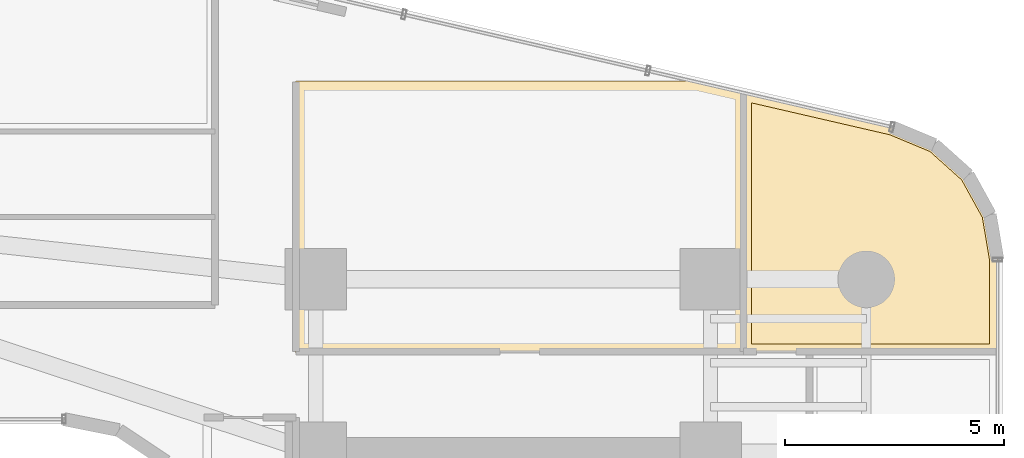
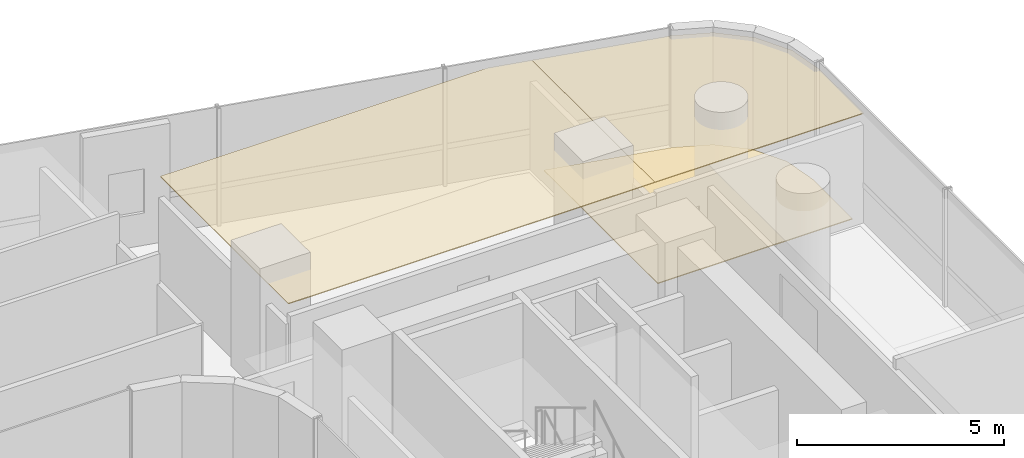
# One storey, part 41 of 41: 3 coverings.
"""IFC4 building model written with IfcOpenShell, lengths in metres."""

from ifc_helpers import new_model, si_unit, direction, frame, origin, place, context, subcontext, project, spatial, polyline, outline, extrude, material, layer, layer_set, type_object, element, save


model = new_model("IFC4")

# Units and contexts
model_context = context("Model", 3, precision=1e-05, world=origin(), true_north=direction((0.0, 1.0)))
body_context = subcontext(model_context, "Body", "Model", "MODEL_VIEW")
ifc_project = project(units=[si_unit("LENGTHUNIT", "METRE"), si_unit("AREAUNIT", "SQUARE_METRE"), si_unit("VOLUMEUNIT", "CUBIC_METRE"), si_unit("PLANEANGLEUNIT", "RADIAN"), si_unit("MASSUNIT", "GRAM", prefix="KILO")], contexts=[model_context])

# Site, building, storey
site_placement = place(None, origin())
site = spatial("IfcSite", under=ifc_project, at=site_placement, CompositionType="ELEMENT")
building_placement = place(site_placement, origin())
building = spatial("IfcBuilding", under=site, at=building_placement, Name="Valdorenza Pilgrim Sanctuary Tower", CompositionType="ELEMENT")
storey_placement = place(building_placement, frame((0.0, 0.0, 59.300048828125)))
storey = spatial("IfcBuildingStorey", under=building, at=storey_placement, Name="L14", CompositionType="ELEMENT", Elevation=59.300048828125)

# Coverings
ifc_material_1 = material(Name="Micro-perforated acoustic mineral ceiling tile", Category="gypsum")
ifc_layer_1 = layer(ifc_material_1, 0.02490234375, Name="Micro-perforated acoustic mineral ceiling tile")
ifc_layer_set_1 = layer_set([ifc_layer_1], Name="Micro-perforated acoustic mineral ceiling tile")
covering_type_1 = type_object("IfcCoveringType", Name="COV-CLG-ACU", PredefinedType="CEILING", material=ifc_layer_set_1)
covering_1_placement = place(storey_placement, frame((0.0, 0.0, 3.159912109375)))
element("IfcCovering", 1, at=covering_1_placement, inside=storey, type_object=covering_type_1, Name="L14 Curator Research Office L14-BN1 Acoustic Ceiling", PredefinedType="CEILING", context=body_context, shape_type="SweptSolid", body=[
    extrude(outline(polyline([(15.39990234375, 11.8349609375), (15.3984375, 11.835205078125), (15.397216796875, 11.835205078125), (15.3955078125, 11.835693359375), (15.394287109375, 11.836181640625), (15.392822265625, 11.8369140625), (15.3916015625, 11.83740234375), (15.390380859375, 11.83837890625), (15.389404296875, 11.83935546875), (15.388427734375, 11.840576171875), (15.387451171875, 11.841796875), (15.38671875, 11.843017578125), (15.385986328125, 11.84423828125), (15.385498046875, 11.845703125), (15.38525390625, 11.84716796875), (15.385009765625, 11.848388671875), (15.385009765625, 11.85009765625), (15.385009765625, 18.0), (15.385009765625, 18.00146484375), (15.38525390625, 18.0029296875), (15.385498046875, 18.00439453125), (15.385986328125, 18.005615234375), (15.38671875, 18.007080078125), (15.387451171875, 18.00830078125), (15.388427734375, 18.009521484375), (15.389404296875, 18.010498046875), (15.390380859375, 18.01171875), (15.3916015625, 18.012451171875), (15.392822265625, 18.01318359375), (15.394287109375, 18.013916015625), (15.3955078125, 18.014404296875), (15.397216796875, 18.0146484375), (15.3984375, 18.014892578125), (15.39990234375, 18.014892578125), (24.5107421875, 18.014892578125), (24.512451171875, 18.014892578125), (24.51416015625, 18.0146484375), (25.603515625, 17.76318359375), (25.604736328125, 17.762939453125), (25.606201171875, 17.76220703125), (25.607421875, 17.76171875), (25.608642578125, 17.760986328125), (25.609619140625, 17.760009765625), (25.61083984375, 17.759033203125), (25.61181640625, 17.758056640625), (25.612548828125, 17.7568359375), (25.61328125, 17.755615234375), (25.614013671875, 17.75439453125), (25.614501953125, 17.7529296875), (25.61474609375, 17.75146484375), (25.614990234375, 17.75), (25.614990234375, 17.74853515625), (25.614990234375, 11.85009765625), (25.614990234375, 11.848388671875), (25.61474609375, 11.84716796875), (25.614501953125, 11.845703125), (25.614013671875, 11.84423828125), (25.61328125, 11.843017578125), (25.612548828125, 11.841796875), (25.611572265625, 11.840576171875), (25.610595703125, 11.83935546875), (25.609619140625, 11.83837890625), (25.6083984375, 11.83740234375), (25.607177734375, 11.8369140625), (25.605712890625, 11.836181640625), (25.6044921875, 11.835693359375), (25.602783203125, 11.835205078125), (25.6015625, 11.835205078125), (25.60009765625, 11.8349609375), (15.39990234375, 11.8349609375)])), origin(), (0.0, 0.0, 1.0), 0.025146484375),
])
covering_2_placement = place(storey_placement, frame((0.0, 0.0, 3.159912109375)))
element("IfcCovering", 2, at=covering_2_placement, inside=storey, type_object=covering_type_1, Name="L14 East Wing Reference Library L14-BNE Acoustic Ceiling", PredefinedType="CEILING", context=body_context, shape_type="SweptSolid", body=[
    extrude(outline(polyline([(28.9892578125, 16.98193359375), (28.990478515625, 16.981689453125), (28.99169921875, 16.981201171875), (29.95361328125, 16.580322265625), (29.955078125, 16.57958984375), (29.95654296875, 16.57861328125), (29.9580078125, 16.57763671875), (30.72705078125, 15.88818359375), (30.728271484375, 15.886962890625), (30.729248046875, 15.8857421875), (30.72998046875, 15.88427734375), (31.22900390625, 14.97998046875), (31.2294921875, 14.978271484375), (31.230224609375, 14.976806640625), (31.230712890625, 14.97509765625), (31.40478515625, 13.947509765625), (31.40478515625, 13.9462890625), (31.405029296875, 13.945068359375), (31.405029296875, 11.85009765625), (31.40478515625, 11.848388671875), (31.40478515625, 11.84716796875), (31.404296875, 11.845703125), (31.40380859375, 11.84423828125), (31.4033203125, 11.843017578125), (31.402587890625, 11.841796875), (31.401611328125, 11.840576171875), (31.400634765625, 11.83935546875), (31.3994140625, 11.83837890625), (31.398193359375, 11.83740234375), (31.397216796875, 11.8369140625), (31.395751953125, 11.836181640625), (31.394287109375, 11.835693359375), (31.392822265625, 11.835205078125), (31.3916015625, 11.835205078125), (31.389892578125, 11.8349609375), (25.60205078125, 11.8349609375), (25.6005859375, 11.835205078125), (25.59912109375, 11.835205078125), (25.59765625, 11.835693359375), (25.59619140625, 11.836181640625), (25.594970703125, 11.8369140625), (25.59375, 11.83740234375), (25.592529296875, 11.83837890625), (25.59130859375, 11.83935546875), (25.59033203125, 11.840576171875), (25.589599609375, 11.841796875), (25.5888671875, 11.843017578125), (25.588134765625, 11.84423828125), (25.587646484375, 11.845703125), (25.58740234375, 11.84716796875), (25.587158203125, 11.848388671875), (25.5869140625, 11.85009765625), (25.5869140625, 17.748291015625), (25.587158203125, 17.749755859375), (25.58740234375, 17.751220703125), (25.587646484375, 17.752685546875), (25.588134765625, 17.75390625), (25.5888671875, 17.75537109375), (25.589599609375, 17.756591796875), (25.590576171875, 17.7578125), (25.591552734375, 17.7587890625), (25.5927734375, 17.760009765625), (25.593994140625, 17.7607421875), (25.59521484375, 17.761474609375), (25.596435546875, 17.76220703125), (25.597900390625, 17.7626953125), (25.599365234375, 17.762939453125), (25.600830078125, 17.76318359375), (25.602294921875, 17.76318359375), (25.60400390625, 17.76318359375), (25.60546875, 17.7626953125), (28.9892578125, 16.98193359375)])), origin(), (0.0, 0.0, 1.0), 0.025146484375),
])
ifc_material_2 = material(Name="Honed travertine stone flooring", Category="masonry")
ifc_layer_2 = layer(ifc_material_2, 0.030029296875, Name="Honed travertine stone flooring")
ifc_layer_set_2 = layer_set([ifc_layer_2], Name="Honed travertine stone flooring")
covering_type_2 = type_object("IfcCoveringType", Name="COV-FLR-TRV", PredefinedType="FLOORING", material=ifc_layer_set_2)
covering_3_placement = place(storey_placement, origin())
element("IfcCovering", 3, at=covering_3_placement, inside=storey, type_object=covering_type_2, Name="L14 East Wing Reference Library L14-BNE Flooring", PredefinedType="FLOORING", context=body_context, shape_type="SweptSolid", body=[
    extrude(outline(polyline([(28.9306640625, 16.79541015625), (29.8505859375, 16.412109375), (30.57421875, 15.763427734375), (31.04345703125, 14.912353515625), (31.2099609375, 13.929931640625), (31.2099609375, 12.030029296875), (25.781982421875, 12.030029296875), (25.781982421875, 17.52197265625), (28.9306640625, 16.79541015625)])), origin(), (0.0, 0.0, 1.0), 0.02490234375),
])

save(model, "model.ifc")
